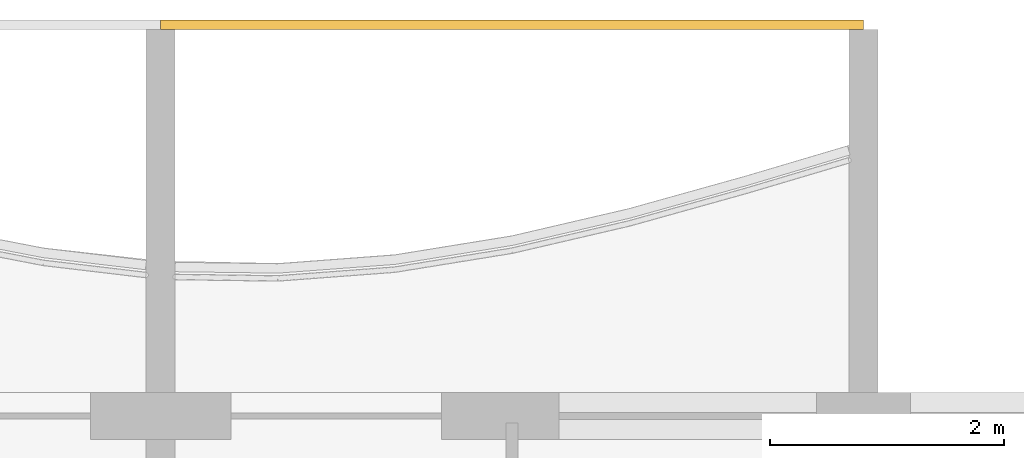
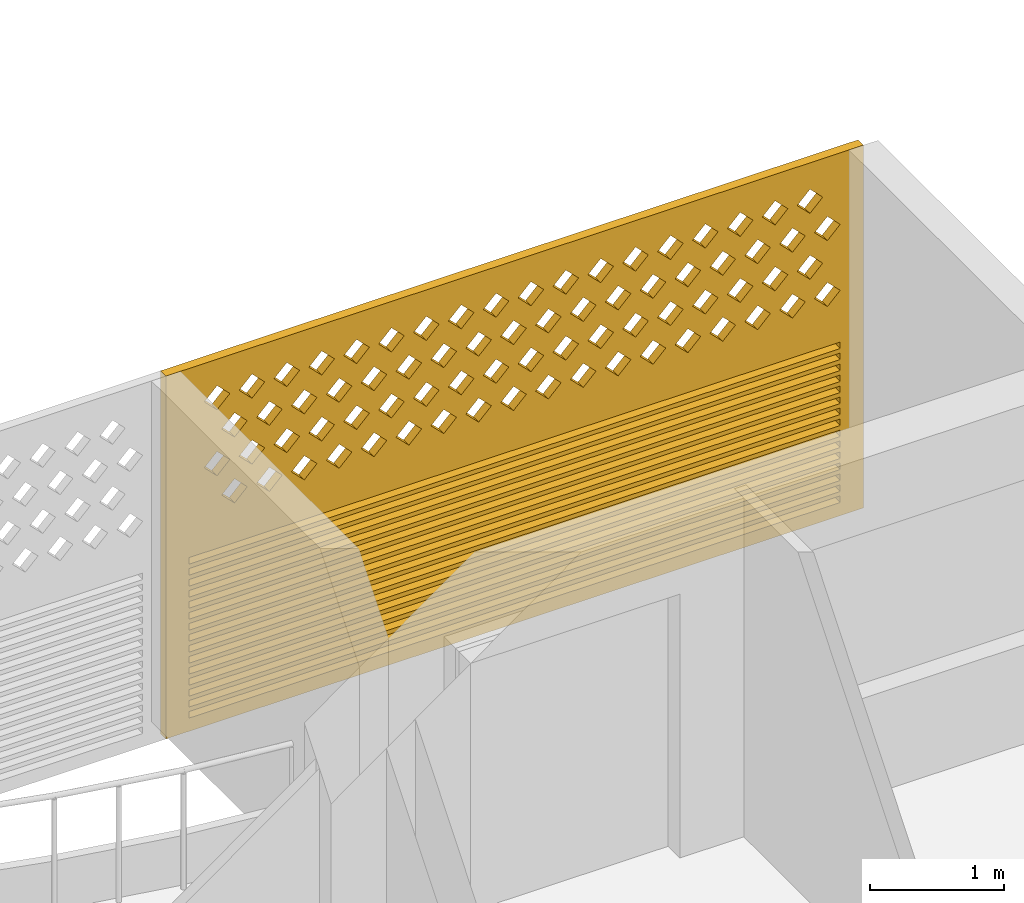
# One storey, part 23 of 27: 1 covering.
"""IFC4 building model written with IfcOpenShell, lengths in metres."""

import ifcopenshell
import ifcopenshell.guid

model = None  # the IFC model being written
_history = None  # IfcOwnerHistory: only IFC2X3 demands one
_inside = {}  # id of a spatial element -> (the spatial element, [elements in it])
_under = {}  # id of a project, library or spatial element -> (it, [spatial elements below it])
_declared = {}  # id of a project -> (the project, [libraries it declares])
_typed = {}  # id of a type object -> (the type object, [elements of that type])
_made_of = {}  # id of a material, layer set ... -> (it, [elements and type objects made of it])


def new_model(schema):
    """Start an empty IFC model of exactly this schema.

    Asked for "IFC4X3", IfcOpenShell would pick the latest addendum, in which some entities
    have other attributes; the version numbers below select the first issue.
    IFC2X3 requires an IfcOwnerHistory on every rooted entity: one is made here for all.
    """
    global model, _history
    if schema == "IFC4X3":
        model = ifcopenshell.file(schema_version=(4, 3, 0, 0))
    else:
        model = ifcopenshell.file(schema=schema)
    _inside.clear()
    _under.clear()
    _declared.clear()
    _typed.clear()
    _made_of.clear()
    _history = None
    if model.schema == "IFC2X3":
        org = make("IfcOrganization", Name="unknown")
        user = make(
            "IfcPersonAndOrganization",
            ThePerson=make("IfcPerson", FamilyName="unknown"),
            TheOrganization=org,
        )
        app = make(
            "IfcApplication",
            ApplicationDeveloper=org,
            Version="unknown",
            ApplicationFullName="unknown",
            ApplicationIdentifier="unknown",
        )
        _history = make(
            "IfcOwnerHistory",
            OwningUser=user,
            OwningApplication=app,
            ChangeAction="ADDED",
            CreationDate=0,
        )
    return model


def make(cls, **values):
    """One entity of the class cls with the attributes given. An attribute that is None is left unset."""
    return model.create_entity(
        cls, **{name: value for name, value in values.items() if value is not None}
    )


def rooted(cls, **values):
    """An entity with a GlobalId (a new one), such as an element, a storey or a relation."""
    return make(cls, GlobalId=ifcopenshell.guid.new(), OwnerHistory=_history, **values)


def si_unit(unit_type, name, prefix=None):
    """IfcSIUnit, for example si_unit("LENGTHUNIT", "METRE", prefix="MILLI")."""
    return make("IfcSIUnit", UnitType=unit_type, Prefix=prefix, Name=name)


def assignment(units):
    """IfcUnitAssignment: the units of a project."""
    return None if units is None else make("IfcUnitAssignment", Units=units)


def point(xyz):
    """IfcCartesianPoint."""
    return None if xyz is None else make("IfcCartesianPoint", Coordinates=xyz)


def direction(xyz):
    """IfcDirection."""
    return None if xyz is None else make("IfcDirection", DirectionRatios=xyz)


def frame(location, z_axis=None, x_axis=None):
    """IfcAxis2Placement3D, a coordinate frame: its origin and axes. An axis left out is left unset."""
    return make(
        "IfcAxis2Placement3D",
        Location=point(location),
        Axis=direction(z_axis),
        RefDirection=direction(x_axis),
    )


def origin():
    """The frame at (0, 0, 0) with its axes left unset."""
    return frame((0.0, 0.0, 0.0))


def place(relative_to, where):
    """IfcLocalPlacement: puts the frame where relative to a parent placement (None: the world)."""
    return make(
        "IfcLocalPlacement", PlacementRelTo=relative_to, RelativePlacement=where
    )


def context(
    kind, dimensions, precision=None, world=None, true_north=None, identifier=None
):
    """IfcGeometricRepresentationContext, for example the 3D "Model" context."""
    return make(
        "IfcGeometricRepresentationContext",
        ContextIdentifier=identifier,
        ContextType=kind,
        CoordinateSpaceDimension=dimensions,
        Precision=precision,
        WorldCoordinateSystem=world,
        TrueNorth=true_north,
    )


def subcontext(parent, identifier, kind, view, scale=None):
    """IfcGeometricRepresentationSubContext, for example "Body" below "Model"."""
    return make(
        "IfcGeometricRepresentationSubContext",
        ContextIdentifier=identifier,
        ContextType=kind,
        ParentContext=parent,
        TargetScale=scale,
        TargetView=view,
    )


def project(units=None, contexts=None):
    """IfcProject with its units and contexts."""
    return rooted(
        "IfcProject",
        Name="project",
        RepresentationContexts=contexts,
        UnitsInContext=assignment(units),
    )


def spatial(cls, under=None, at=None, **own):
    """A site, building, storey or space (cls), placed at a placement, below another one or the project."""
    s = rooted(cls, ObjectPlacement=at, **own)
    if under is not None:
        _under.setdefault(under.id(), (under, []))[1].append(s)
    return s


def polyline(points):
    """IfcPolyline through the points."""
    return make("IfcPolyline", Points=[point(p) for p in points])


def outline(outer, holes=None, kind="AREA"):
    """IfcArbitraryClosedProfileDef: a profile drawn as a closed curve; with holes, ...WithVoids."""
    if holes is None:
        return make("IfcArbitraryClosedProfileDef", ProfileType=kind, OuterCurve=outer)
    return make(
        "IfcArbitraryProfileDefWithVoids",
        ProfileType=kind,
        OuterCurve=outer,
        InnerCurves=holes,
    )


def extrude(swept, where, along, depth):
    """IfcExtrudedAreaSolid: the profile swept, set in the frame where, extruded along a direction by depth."""
    return make(
        "IfcExtrudedAreaSolid",
        SweptArea=swept,
        Position=where,
        ExtrudedDirection=direction(along),
        Depth=depth,
    )


def shape(context_of_items, identifier, shape_type, items):
    """IfcShapeRepresentation: the items that make up one representation, for example the "Body"."""
    return make(
        "IfcShapeRepresentation",
        ContextOfItems=context_of_items,
        RepresentationIdentifier=identifier,
        RepresentationType=shape_type,
        Items=items,
    )


def source(mapping_origin, context_of_items, identifier, shape_type, items):
    """IfcRepresentationMap: a shape defined once, which mapped items show again and again."""
    return make(
        "IfcRepresentationMap",
        MappingOrigin=mapping_origin,
        MappedRepresentation=shape(context_of_items, identifier, shape_type, items),
    )


def transform(
    local_origin,
    x_axis=None,
    y_axis=None,
    z_axis=None,
    scale=None,
    scale2=None,
    scale3=None,
    uniform=True,
):
    """IfcCartesianTransformationOperator3D, or its non-uniform kind. x_axis, y_axis, z_axis: its Axis1, 2, 3."""
    if uniform:
        return make(
            "IfcCartesianTransformationOperator3D",
            Axis1=direction(x_axis),
            Axis2=direction(y_axis),
            LocalOrigin=point(local_origin),
            Scale=scale,
            Axis3=direction(z_axis),
        )
    return make(
        "IfcCartesianTransformationOperator3DnonUniform",
        Axis1=direction(x_axis),
        Axis2=direction(y_axis),
        LocalOrigin=point(local_origin),
        Scale=scale,
        Axis3=direction(z_axis),
        Scale2=scale2,
        Scale3=scale3,
    )


def mapped(mapping_source, mapping_target):
    """IfcMappedItem: shows the shape of a source again, moved by a transform."""
    return make(
        "IfcMappedItem", MappingSource=mapping_source, MappingTarget=mapping_target
    )


def material(Name=None, Category=None):
    """IfcMaterial."""
    return make("IfcMaterial", Name=Name, Category=Category)


def material_profile(
    of_material, cross_section, Name=None, Category=None, Priority=None
):
    """IfcMaterialProfile: a cross section and its material."""
    return make(
        "IfcMaterialProfile",
        Name=Name,
        Material=of_material,
        Profile=cross_section,
        Priority=Priority,
        Category=Category,
    )


def profile_set(profiles, Name=None, composite=None):
    """IfcMaterialProfileSet."""
    return make(
        "IfcMaterialProfileSet",
        Name=Name,
        MaterialProfiles=profiles,
        CompositeProfile=composite,
    )


def made_of(thing, what):
    """Note that an element or type object is made of a material, layer set ...; save() writes the relation."""
    if what is not None:
        _made_of.setdefault(what.id(), (what, []))[1].append(thing)
    return thing


def type_object(cls, material=None, **own):
    """A type object (cls), such as IfcWallType, which elements share."""
    return made_of(rooted(cls, **own), material)


def element(
    cls,
    number,
    at=None,
    inside=None,
    cuts=None,
    type_object=None,
    material=None,
    context=None,
    identifier="Body",
    shape_type=None,
    held_by="IfcProductDefinitionShape",
    body=None,
    shapes=None,
    **own,
):
    """One element of the class cls, such as IfcWall. Its Tag is "e" and its number.

    at: its placement. inside: the storey or other place that contains it. cuts: it is an
    opening in that element (IfcRelVoidsElement). A single representation is given by context,
    identifier, shape_type and body (its items); several are given by shapes. held_by: the class
    of the entity that holds the representations. save() writes the other relations.
    """
    e = rooted(cls, Tag="e%d" % number, ObjectPlacement=at, **own)
    if body is not None:
        shapes = [shape(context, identifier, shape_type, body)]
    if shapes is not None:
        e.Representation = make(held_by, Representations=shapes)
    if inside is not None:
        _inside.setdefault(inside.id(), (inside, []))[1].append(e)
    if cuts is not None:
        rooted(
            "IfcRelVoidsElement", RelatingBuildingElement=cuts, RelatedOpeningElement=e
        )
    if type_object is not None:
        _typed.setdefault(type_object.id(), (type_object, []))[1].append(e)
    return made_of(e, material)


def aggregate(whole, parts):
    """IfcRelAggregates: a whole, such as a stair, and the parts it consists of."""
    return rooted("IfcRelAggregates", RelatingObject=whole, RelatedObjects=parts)


def save(model, path):
    """Write the relations noted so far, then the file.

    IfcRelAggregates (storeys below a building ...), IfcRelContainedInSpatialStructure (elements
    in a storey), IfcRelDefinesByType, IfcRelAssociatesMaterial and IfcRelDeclares: one each for
    every whole, place, type object, material and project.
    """
    for whole, parts in _under.values():
        aggregate(whole, parts)
    for where, things in _inside.values():
        rooted(
            "IfcRelContainedInSpatialStructure",
            RelatedElements=things,
            RelatingStructure=where,
        )
    for kind, things in _typed.values():
        rooted("IfcRelDefinesByType", RelatedObjects=things, RelatingType=kind)
    for what, things in _made_of.values():
        rooted("IfcRelAssociatesMaterial", RelatedObjects=things, RelatingMaterial=what)
    for by, libraries in _declared.values():
        rooted("IfcRelDeclares", RelatingContext=by, RelatedDefinitions=libraries)
    model.write(path)


model = new_model("IFC4")

# Units and contexts
model_context = context("Model", 3, precision=1e-05, world=origin(), true_north=direction((0.0, 1.0)))
body_context = subcontext(model_context, "Body", "Model", "MODEL_VIEW")
ifc_project = project(units=[si_unit("LENGTHUNIT", "METRE"), si_unit("AREAUNIT", "SQUARE_METRE"), si_unit("VOLUMEUNIT", "CUBIC_METRE"), si_unit("PLANEANGLEUNIT", "RADIAN"), si_unit("MASSUNIT", "GRAM", prefix="KILO")], contexts=[model_context])

# Site, building, storey
site_placement = place(None, origin())
site = spatial("IfcSite", under=ifc_project, at=site_placement, CompositionType="ELEMENT")
building_placement = place(site_placement, origin())
building = spatial("IfcBuilding", under=site, at=building_placement, Name="Poui Terraces", CompositionType="ELEMENT")
storey_placement = place(building_placement, frame((0.0, 0.0, 254.39990234375)))
storey = spatial("IfcBuildingStorey", under=building, at=storey_placement, Name="L71", CompositionType="ELEMENT", Elevation=254.39990234375)

# Covering
ifc_material = material(Name="Terracotta screen", Category="masonry")
ifc_material_profile = material_profile(ifc_material, outline(polyline([(-3.0, -1.64990234375), (3.0, -1.64990234375), (3.0, 1.64990234375), (-3.0, 1.64990234375), (-3.0, -1.64990234375)]), holes=[polyline([(-2.800048828125, 0.39990234375), (-2.68994140625, 0.2900390625), (-2.580078125, 0.39990234375), (-2.68994140625, 0.510009765625), (-2.800048828125, 0.39990234375)]), polyline([(-2.5, 0.39990234375), (-2.389892578125, 0.2900390625), (-2.280029296875, 0.39990234375), (-2.389892578125, 0.510009765625), (-2.5, 0.39990234375)]), polyline([(-2.199951171875, 0.39990234375), (-2.090087890625, 0.2900390625), (-1.97998046875, 0.39990234375), (-2.090087890625, 0.510009765625), (-2.199951171875, 0.39990234375)]), polyline([(-1.89990234375, 0.39990234375), (-1.7900390625, 0.2900390625), (-1.679931640625, 0.39990234375), (-1.7900390625, 0.510009765625), (-1.89990234375, 0.39990234375)]), polyline([(-1.60009765625, 0.39990234375), (-1.489990234375, 0.2900390625), (-1.3798828125, 0.39990234375), (-1.489990234375, 0.510009765625), (-1.60009765625, 0.39990234375)]), polyline([(-1.300048828125, 0.39990234375), (-1.18994140625, 0.2900390625), (-1.080078125, 0.39990234375), (-1.18994140625, 0.510009765625), (-1.300048828125, 0.39990234375)]), polyline([(-1.0, 0.39990234375), (-0.889892578125, 0.2900390625), (-0.780029296875, 0.39990234375), (-0.889892578125, 0.510009765625), (-1.0, 0.39990234375)]), polyline([(-0.699951171875, 0.39990234375), (-0.590087890625, 0.2900390625), (-0.47998046875, 0.39990234375), (-0.590087890625, 0.510009765625), (-0.699951171875, 0.39990234375)]), polyline([(-0.39990234375, 0.39990234375), (-0.2900390625, 0.2900390625), (-0.179931640625, 0.39990234375), (-0.2900390625, 0.510009765625), (-0.39990234375, 0.39990234375)]), polyline([(-0.10009765625, 0.39990234375), (0.010009765625, 0.2900390625), (0.1201171875, 0.39990234375), (0.010009765625, 0.510009765625), (-0.10009765625, 0.39990234375)]), polyline([(0.199951171875, 0.39990234375), (0.31005859375, 0.2900390625), (0.419921875, 0.39990234375), (0.31005859375, 0.510009765625), (0.199951171875, 0.39990234375)]), polyline([(0.5, 0.39990234375), (0.610107421875, 0.2900390625), (0.719970703125, 0.39990234375), (0.610107421875, 0.510009765625), (0.5, 0.39990234375)]), polyline([(0.800048828125, 0.39990234375), (0.909912109375, 0.2900390625), (1.02001953125, 0.39990234375), (0.909912109375, 0.510009765625), (0.800048828125, 0.39990234375)]), polyline([(1.10009765625, 0.39990234375), (1.2099609375, 0.2900390625), (1.320068359375, 0.39990234375), (1.2099609375, 0.510009765625), (1.10009765625, 0.39990234375)]), polyline([(1.39990234375, 0.39990234375), (1.510009765625, 0.2900390625), (1.6201171875, 0.39990234375), (1.510009765625, 0.510009765625), (1.39990234375, 0.39990234375)]), polyline([(1.699951171875, 0.39990234375), (1.81005859375, 0.2900390625), (1.919921875, 0.39990234375), (1.81005859375, 0.510009765625), (1.699951171875, 0.39990234375)]), polyline([(2.0, 0.39990234375), (2.110107421875, 0.2900390625), (2.219970703125, 0.39990234375), (2.110107421875, 0.510009765625), (2.0, 0.39990234375)]), polyline([(2.300048828125, 0.39990234375), (2.409912109375, 0.2900390625), (2.52001953125, 0.39990234375), (2.409912109375, 0.510009765625), (2.300048828125, 0.39990234375)]), polyline([(-2.64990234375, 0.699951171875), (-2.5400390625, 0.590087890625), (-2.429931640625, 0.699951171875), (-2.5400390625, 0.81005859375), (-2.64990234375, 0.699951171875)]), polyline([(-2.35009765625, 0.699951171875), (-2.239990234375, 0.590087890625), (-2.1298828125, 0.699951171875), (-2.239990234375, 0.81005859375), (-2.35009765625, 0.699951171875)]), polyline([(-2.050048828125, 0.699951171875), (-1.93994140625, 0.590087890625), (-1.830078125, 0.699951171875), (-1.93994140625, 0.81005859375), (-2.050048828125, 0.699951171875)]), polyline([(-1.75, 0.699951171875), (-1.639892578125, 0.590087890625), (-1.530029296875, 0.699951171875), (-1.639892578125, 0.81005859375), (-1.75, 0.699951171875)]), polyline([(-1.449951171875, 0.699951171875), (-1.340087890625, 0.590087890625), (-1.22998046875, 0.699951171875), (-1.340087890625, 0.81005859375), (-1.449951171875, 0.699951171875)]), polyline([(-1.14990234375, 0.699951171875), (-1.0400390625, 0.590087890625), (-0.929931640625, 0.699951171875), (-1.0400390625, 0.81005859375), (-1.14990234375, 0.699951171875)]), polyline([(-0.85009765625, 0.699951171875), (-0.739990234375, 0.590087890625), (-0.6298828125, 0.699951171875), (-0.739990234375, 0.81005859375), (-0.85009765625, 0.699951171875)]), polyline([(-0.550048828125, 0.699951171875), (-0.43994140625, 0.590087890625), (-0.330078125, 0.699951171875), (-0.43994140625, 0.81005859375), (-0.550048828125, 0.699951171875)]), polyline([(-0.25, 0.699951171875), (-0.139892578125, 0.590087890625), (-0.030029296875, 0.699951171875), (-0.139892578125, 0.81005859375), (-0.25, 0.699951171875)]), polyline([(0.050048828125, 0.699951171875), (0.159912109375, 0.590087890625), (0.27001953125, 0.699951171875), (0.159912109375, 0.81005859375), (0.050048828125, 0.699951171875)]), polyline([(0.35009765625, 0.699951171875), (0.4599609375, 0.590087890625), (0.570068359375, 0.699951171875), (0.4599609375, 0.81005859375), (0.35009765625, 0.699951171875)]), polyline([(0.64990234375, 0.699951171875), (0.760009765625, 0.590087890625), (0.8701171875, 0.699951171875), (0.760009765625, 0.81005859375), (0.64990234375, 0.699951171875)]), polyline([(0.949951171875, 0.699951171875), (1.06005859375, 0.590087890625), (1.169921875, 0.699951171875), (1.06005859375, 0.81005859375), (0.949951171875, 0.699951171875)]), polyline([(1.25, 0.699951171875), (1.360107421875, 0.590087890625), (1.469970703125, 0.699951171875), (1.360107421875, 0.81005859375), (1.25, 0.699951171875)]), polyline([(1.550048828125, 0.699951171875), (1.659912109375, 0.590087890625), (1.77001953125, 0.699951171875), (1.659912109375, 0.81005859375), (1.550048828125, 0.699951171875)]), polyline([(1.85009765625, 0.699951171875), (1.9599609375, 0.590087890625), (2.070068359375, 0.699951171875), (1.9599609375, 0.81005859375), (1.85009765625, 0.699951171875)]), polyline([(2.14990234375, 0.699951171875), (2.260009765625, 0.590087890625), (2.3701171875, 0.699951171875), (2.260009765625, 0.81005859375), (2.14990234375, 0.699951171875)]), polyline([(2.449951171875, 0.699951171875), (2.56005859375, 0.590087890625), (2.669921875, 0.699951171875), (2.56005859375, 0.81005859375), (2.449951171875, 0.699951171875)]), polyline([(-2.800048828125, 1.0), (-2.68994140625, 0.889892578125), (-2.580078125, 1.0), (-2.68994140625, 1.110107421875), (-2.800048828125, 1.0)]), polyline([(-2.5, 1.0), (-2.389892578125, 0.889892578125), (-2.280029296875, 1.0), (-2.389892578125, 1.110107421875), (-2.5, 1.0)]), polyline([(-2.199951171875, 1.0), (-2.090087890625, 0.889892578125), (-1.97998046875, 1.0), (-2.090087890625, 1.110107421875), (-2.199951171875, 1.0)]), polyline([(-1.89990234375, 1.0), (-1.7900390625, 0.889892578125), (-1.679931640625, 1.0), (-1.7900390625, 1.110107421875), (-1.89990234375, 1.0)]), polyline([(-1.60009765625, 1.0), (-1.489990234375, 0.889892578125), (-1.3798828125, 1.0), (-1.489990234375, 1.110107421875), (-1.60009765625, 1.0)]), polyline([(-1.300048828125, 1.0), (-1.18994140625, 0.889892578125), (-1.080078125, 1.0), (-1.18994140625, 1.110107421875), (-1.300048828125, 1.0)]), polyline([(-1.0, 1.0), (-0.889892578125, 0.889892578125), (-0.780029296875, 1.0), (-0.889892578125, 1.110107421875), (-1.0, 1.0)]), polyline([(-0.699951171875, 1.0), (-0.590087890625, 0.889892578125), (-0.47998046875, 1.0), (-0.590087890625, 1.110107421875), (-0.699951171875, 1.0)]), polyline([(-0.39990234375, 1.0), (-0.2900390625, 0.889892578125), (-0.179931640625, 1.0), (-0.2900390625, 1.110107421875), (-0.39990234375, 1.0)]), polyline([(-0.10009765625, 1.0), (0.010009765625, 0.889892578125), (0.1201171875, 1.0), (0.010009765625, 1.110107421875), (-0.10009765625, 1.0)]), polyline([(0.199951171875, 1.0), (0.31005859375, 0.889892578125), (0.419921875, 1.0), (0.31005859375, 1.110107421875), (0.199951171875, 1.0)]), polyline([(0.5, 1.0), (0.610107421875, 0.889892578125), (0.719970703125, 1.0), (0.610107421875, 1.110107421875), (0.5, 1.0)]), polyline([(0.800048828125, 1.0), (0.909912109375, 0.889892578125), (1.02001953125, 1.0), (0.909912109375, 1.110107421875), (0.800048828125, 1.0)]), polyline([(1.10009765625, 1.0), (1.2099609375, 0.889892578125), (1.320068359375, 1.0), (1.2099609375, 1.110107421875), (1.10009765625, 1.0)]), polyline([(1.39990234375, 1.0), (1.510009765625, 0.889892578125), (1.6201171875, 1.0), (1.510009765625, 1.110107421875), (1.39990234375, 1.0)]), polyline([(1.699951171875, 1.0), (1.81005859375, 0.889892578125), (1.919921875, 1.0), (1.81005859375, 1.110107421875), (1.699951171875, 1.0)]), polyline([(2.0, 1.0), (2.110107421875, 0.889892578125), (2.219970703125, 1.0), (2.110107421875, 1.110107421875), (2.0, 1.0)]), polyline([(2.300048828125, 1.0), (2.409912109375, 0.889892578125), (2.52001953125, 1.0), (2.409912109375, 1.110107421875), (2.300048828125, 1.0)]), polyline([(-2.64990234375, 1.300048828125), (-2.5400390625, 1.18994140625), (-2.429931640625, 1.300048828125), (-2.5400390625, 1.409912109375), (-2.64990234375, 1.300048828125)]), polyline([(-2.35009765625, 1.300048828125), (-2.239990234375, 1.18994140625), (-2.1298828125, 1.300048828125), (-2.239990234375, 1.409912109375), (-2.35009765625, 1.300048828125)]), polyline([(-2.050048828125, 1.300048828125), (-1.93994140625, 1.18994140625), (-1.830078125, 1.300048828125), (-1.93994140625, 1.409912109375), (-2.050048828125, 1.300048828125)]), polyline([(-1.75, 1.300048828125), (-1.639892578125, 1.18994140625), (-1.530029296875, 1.300048828125), (-1.639892578125, 1.409912109375), (-1.75, 1.300048828125)]), polyline([(-1.449951171875, 1.300048828125), (-1.340087890625, 1.18994140625), (-1.22998046875, 1.300048828125), (-1.340087890625, 1.409912109375), (-1.449951171875, 1.300048828125)]), polyline([(-1.14990234375, 1.300048828125), (-1.0400390625, 1.18994140625), (-0.929931640625, 1.300048828125), (-1.0400390625, 1.409912109375), (-1.14990234375, 1.300048828125)]), polyline([(-0.85009765625, 1.300048828125), (-0.739990234375, 1.18994140625), (-0.6298828125, 1.300048828125), (-0.739990234375, 1.409912109375), (-0.85009765625, 1.300048828125)]), polyline([(-0.550048828125, 1.300048828125), (-0.43994140625, 1.18994140625), (-0.330078125, 1.300048828125), (-0.43994140625, 1.409912109375), (-0.550048828125, 1.300048828125)]), polyline([(-0.25, 1.300048828125), (-0.139892578125, 1.18994140625), (-0.030029296875, 1.300048828125), (-0.139892578125, 1.409912109375), (-0.25, 1.300048828125)]), polyline([(0.050048828125, 1.300048828125), (0.159912109375, 1.18994140625), (0.27001953125, 1.300048828125), (0.159912109375, 1.409912109375), (0.050048828125, 1.300048828125)]), polyline([(0.35009765625, 1.300048828125), (0.4599609375, 1.18994140625), (0.570068359375, 1.300048828125), (0.4599609375, 1.409912109375), (0.35009765625, 1.300048828125)]), polyline([(0.64990234375, 1.300048828125), (0.760009765625, 1.18994140625), (0.8701171875, 1.300048828125), (0.760009765625, 1.409912109375), (0.64990234375, 1.300048828125)]), polyline([(0.949951171875, 1.300048828125), (1.06005859375, 1.18994140625), (1.169921875, 1.300048828125), (1.06005859375, 1.409912109375), (0.949951171875, 1.300048828125)]), polyline([(1.25, 1.300048828125), (1.360107421875, 1.18994140625), (1.469970703125, 1.300048828125), (1.360107421875, 1.409912109375), (1.25, 1.300048828125)]), polyline([(1.550048828125, 1.300048828125), (1.659912109375, 1.18994140625), (1.77001953125, 1.300048828125), (1.659912109375, 1.409912109375), (1.550048828125, 1.300048828125)]), polyline([(1.85009765625, 1.300048828125), (1.9599609375, 1.18994140625), (2.070068359375, 1.300048828125), (1.9599609375, 1.409912109375), (1.85009765625, 1.300048828125)]), polyline([(2.14990234375, 1.300048828125), (2.260009765625, 1.18994140625), (2.3701171875, 1.300048828125), (2.260009765625, 1.409912109375), (2.14990234375, 1.300048828125)]), polyline([(2.449951171875, 1.300048828125), (2.56005859375, 1.18994140625), (2.669921875, 1.300048828125), (2.56005859375, 1.409912109375), (2.449951171875, 1.300048828125)]), polyline([(-2.800048828125, -1.530029296875), (2.800048828125, -1.530029296875), (2.800048828125, -1.469970703125), (-2.800048828125, -1.469970703125), (-2.800048828125, -1.530029296875)]), polyline([(-2.800048828125, -1.429931640625), (2.800048828125, -1.429931640625), (2.800048828125, -1.3701171875), (-2.800048828125, -1.3701171875), (-2.800048828125, -1.429931640625)]), polyline([(-2.800048828125, -1.330078125), (2.800048828125, -1.330078125), (2.800048828125, -1.27001953125), (-2.800048828125, -1.27001953125), (-2.800048828125, -1.330078125)]), polyline([(-2.800048828125, -1.22998046875), (2.800048828125, -1.22998046875), (2.800048828125, -1.169921875), (-2.800048828125, -1.169921875), (-2.800048828125, -1.22998046875)]), polyline([(-2.800048828125, -1.1298828125), (2.800048828125, -1.1298828125), (2.800048828125, -1.070068359375), (-2.800048828125, -1.070068359375), (-2.800048828125, -1.1298828125)]), polyline([(-2.800048828125, -1.030029296875), (2.800048828125, -1.030029296875), (2.800048828125, -0.969970703125), (-2.800048828125, -0.969970703125), (-2.800048828125, -1.030029296875)]), polyline([(-2.800048828125, -0.929931640625), (2.800048828125, -0.929931640625), (2.800048828125, -0.8701171875), (-2.800048828125, -0.8701171875), (-2.800048828125, -0.929931640625)]), polyline([(-2.800048828125, -0.830078125), (2.800048828125, -0.830078125), (2.800048828125, -0.77001953125), (-2.800048828125, -0.77001953125), (-2.800048828125, -0.830078125)]), polyline([(-2.800048828125, -0.72998046875), (2.800048828125, -0.72998046875), (2.800048828125, -0.669921875), (-2.800048828125, -0.669921875), (-2.800048828125, -0.72998046875)]), polyline([(-2.800048828125, -0.6298828125), (2.800048828125, -0.6298828125), (2.800048828125, -0.570068359375), (-2.800048828125, -0.570068359375), (-2.800048828125, -0.6298828125)]), polyline([(-2.800048828125, -0.530029296875), (2.800048828125, -0.530029296875), (2.800048828125, -0.469970703125), (-2.800048828125, -0.469970703125), (-2.800048828125, -0.530029296875)]), polyline([(-2.800048828125, -0.429931640625), (2.800048828125, -0.429931640625), (2.800048828125, -0.3701171875), (-2.800048828125, -0.3701171875), (-2.800048828125, -0.429931640625)]), polyline([(-2.800048828125, -0.330078125), (2.800048828125, -0.330078125), (2.800048828125, -0.27001953125), (-2.800048828125, -0.27001953125), (-2.800048828125, -0.330078125)]), polyline([(-2.800048828125, -0.22998046875), (2.800048828125, -0.22998046875), (2.800048828125, -0.169921875), (-2.800048828125, -0.169921875), (-2.800048828125, -0.22998046875)]), polyline([(-2.800048828125, -0.1298828125), (2.800048828125, -0.1298828125), (2.800048828125, -0.070068359375), (-2.800048828125, -0.070068359375), (-2.800048828125, -0.1298828125)])]), Name="TERRACOTTA SCREEN AND JALOUSIE LOUVRE 6000X3300")
ifc_profile_set = profile_set([ifc_material_profile], Name="Terracotta screen")
covering_type = type_object("IfcCoveringType", Name="TERRACOTTA SCREEN AND JALOUSIE LOUVRE 6000X3300", PredefinedType="CLADDING", material=ifc_profile_set)
shared_shape = source(origin(), body_context, "Body", "SweptSolid", [
    extrude(outline(polyline([(-3.0, -1.64990234375), (3.0, -1.64990234375), (3.0, 1.64990234375), (-3.0, 1.64990234375), (-3.0, -1.64990234375)]), holes=[polyline([(-2.800048828125, 0.39990234375), (-2.68994140625, 0.2900390625), (-2.580078125, 0.39990234375), (-2.68994140625, 0.510009765625), (-2.800048828125, 0.39990234375)]), polyline([(-2.5, 0.39990234375), (-2.389892578125, 0.2900390625), (-2.280029296875, 0.39990234375), (-2.389892578125, 0.510009765625), (-2.5, 0.39990234375)]), polyline([(-2.199951171875, 0.39990234375), (-2.090087890625, 0.2900390625), (-1.97998046875, 0.39990234375), (-2.090087890625, 0.510009765625), (-2.199951171875, 0.39990234375)]), polyline([(-1.89990234375, 0.39990234375), (-1.7900390625, 0.2900390625), (-1.679931640625, 0.39990234375), (-1.7900390625, 0.510009765625), (-1.89990234375, 0.39990234375)]), polyline([(-1.60009765625, 0.39990234375), (-1.489990234375, 0.2900390625), (-1.3798828125, 0.39990234375), (-1.489990234375, 0.510009765625), (-1.60009765625, 0.39990234375)]), polyline([(-1.300048828125, 0.39990234375), (-1.18994140625, 0.2900390625), (-1.080078125, 0.39990234375), (-1.18994140625, 0.510009765625), (-1.300048828125, 0.39990234375)]), polyline([(-1.0, 0.39990234375), (-0.889892578125, 0.2900390625), (-0.780029296875, 0.39990234375), (-0.889892578125, 0.510009765625), (-1.0, 0.39990234375)]), polyline([(-0.699951171875, 0.39990234375), (-0.590087890625, 0.2900390625), (-0.47998046875, 0.39990234375), (-0.590087890625, 0.510009765625), (-0.699951171875, 0.39990234375)]), polyline([(-0.39990234375, 0.39990234375), (-0.2900390625, 0.2900390625), (-0.179931640625, 0.39990234375), (-0.2900390625, 0.510009765625), (-0.39990234375, 0.39990234375)]), polyline([(-0.10009765625, 0.39990234375), (0.010009765625, 0.2900390625), (0.1201171875, 0.39990234375), (0.010009765625, 0.510009765625), (-0.10009765625, 0.39990234375)]), polyline([(0.199951171875, 0.39990234375), (0.31005859375, 0.2900390625), (0.419921875, 0.39990234375), (0.31005859375, 0.510009765625), (0.199951171875, 0.39990234375)]), polyline([(0.5, 0.39990234375), (0.610107421875, 0.2900390625), (0.719970703125, 0.39990234375), (0.610107421875, 0.510009765625), (0.5, 0.39990234375)]), polyline([(0.800048828125, 0.39990234375), (0.909912109375, 0.2900390625), (1.02001953125, 0.39990234375), (0.909912109375, 0.510009765625), (0.800048828125, 0.39990234375)]), polyline([(1.10009765625, 0.39990234375), (1.2099609375, 0.2900390625), (1.320068359375, 0.39990234375), (1.2099609375, 0.510009765625), (1.10009765625, 0.39990234375)]), polyline([(1.39990234375, 0.39990234375), (1.510009765625, 0.2900390625), (1.6201171875, 0.39990234375), (1.510009765625, 0.510009765625), (1.39990234375, 0.39990234375)]), polyline([(1.699951171875, 0.39990234375), (1.81005859375, 0.2900390625), (1.919921875, 0.39990234375), (1.81005859375, 0.510009765625), (1.699951171875, 0.39990234375)]), polyline([(2.0, 0.39990234375), (2.110107421875, 0.2900390625), (2.219970703125, 0.39990234375), (2.110107421875, 0.510009765625), (2.0, 0.39990234375)]), polyline([(2.300048828125, 0.39990234375), (2.409912109375, 0.2900390625), (2.52001953125, 0.39990234375), (2.409912109375, 0.510009765625), (2.300048828125, 0.39990234375)]), polyline([(-2.64990234375, 0.699951171875), (-2.5400390625, 0.590087890625), (-2.429931640625, 0.699951171875), (-2.5400390625, 0.81005859375), (-2.64990234375, 0.699951171875)]), polyline([(-2.35009765625, 0.699951171875), (-2.239990234375, 0.590087890625), (-2.1298828125, 0.699951171875), (-2.239990234375, 0.81005859375), (-2.35009765625, 0.699951171875)]), polyline([(-2.050048828125, 0.699951171875), (-1.93994140625, 0.590087890625), (-1.830078125, 0.699951171875), (-1.93994140625, 0.81005859375), (-2.050048828125, 0.699951171875)]), polyline([(-1.75, 0.699951171875), (-1.639892578125, 0.590087890625), (-1.530029296875, 0.699951171875), (-1.639892578125, 0.81005859375), (-1.75, 0.699951171875)]), polyline([(-1.449951171875, 0.699951171875), (-1.340087890625, 0.590087890625), (-1.22998046875, 0.699951171875), (-1.340087890625, 0.81005859375), (-1.449951171875, 0.699951171875)]), polyline([(-1.14990234375, 0.699951171875), (-1.0400390625, 0.590087890625), (-0.929931640625, 0.699951171875), (-1.0400390625, 0.81005859375), (-1.14990234375, 0.699951171875)]), polyline([(-0.85009765625, 0.699951171875), (-0.739990234375, 0.590087890625), (-0.6298828125, 0.699951171875), (-0.739990234375, 0.81005859375), (-0.85009765625, 0.699951171875)]), polyline([(-0.550048828125, 0.699951171875), (-0.43994140625, 0.590087890625), (-0.330078125, 0.699951171875), (-0.43994140625, 0.81005859375), (-0.550048828125, 0.699951171875)]), polyline([(-0.25, 0.699951171875), (-0.139892578125, 0.590087890625), (-0.030029296875, 0.699951171875), (-0.139892578125, 0.81005859375), (-0.25, 0.699951171875)]), polyline([(0.050048828125, 0.699951171875), (0.159912109375, 0.590087890625), (0.27001953125, 0.699951171875), (0.159912109375, 0.81005859375), (0.050048828125, 0.699951171875)]), polyline([(0.35009765625, 0.699951171875), (0.4599609375, 0.590087890625), (0.570068359375, 0.699951171875), (0.4599609375, 0.81005859375), (0.35009765625, 0.699951171875)]), polyline([(0.64990234375, 0.699951171875), (0.760009765625, 0.590087890625), (0.8701171875, 0.699951171875), (0.760009765625, 0.81005859375), (0.64990234375, 0.699951171875)]), polyline([(0.949951171875, 0.699951171875), (1.06005859375, 0.590087890625), (1.169921875, 0.699951171875), (1.06005859375, 0.81005859375), (0.949951171875, 0.699951171875)]), polyline([(1.25, 0.699951171875), (1.360107421875, 0.590087890625), (1.469970703125, 0.699951171875), (1.360107421875, 0.81005859375), (1.25, 0.699951171875)]), polyline([(1.550048828125, 0.699951171875), (1.659912109375, 0.590087890625), (1.77001953125, 0.699951171875), (1.659912109375, 0.81005859375), (1.550048828125, 0.699951171875)]), polyline([(1.85009765625, 0.699951171875), (1.9599609375, 0.590087890625), (2.070068359375, 0.699951171875), (1.9599609375, 0.81005859375), (1.85009765625, 0.699951171875)]), polyline([(2.14990234375, 0.699951171875), (2.260009765625, 0.590087890625), (2.3701171875, 0.699951171875), (2.260009765625, 0.81005859375), (2.14990234375, 0.699951171875)]), polyline([(2.449951171875, 0.699951171875), (2.56005859375, 0.590087890625), (2.669921875, 0.699951171875), (2.56005859375, 0.81005859375), (2.449951171875, 0.699951171875)]), polyline([(-2.800048828125, 1.0), (-2.68994140625, 0.889892578125), (-2.580078125, 1.0), (-2.68994140625, 1.110107421875), (-2.800048828125, 1.0)]), polyline([(-2.5, 1.0), (-2.389892578125, 0.889892578125), (-2.280029296875, 1.0), (-2.389892578125, 1.110107421875), (-2.5, 1.0)]), polyline([(-2.199951171875, 1.0), (-2.090087890625, 0.889892578125), (-1.97998046875, 1.0), (-2.090087890625, 1.110107421875), (-2.199951171875, 1.0)]), polyline([(-1.89990234375, 1.0), (-1.7900390625, 0.889892578125), (-1.679931640625, 1.0), (-1.7900390625, 1.110107421875), (-1.89990234375, 1.0)]), polyline([(-1.60009765625, 1.0), (-1.489990234375, 0.889892578125), (-1.3798828125, 1.0), (-1.489990234375, 1.110107421875), (-1.60009765625, 1.0)]), polyline([(-1.300048828125, 1.0), (-1.18994140625, 0.889892578125), (-1.080078125, 1.0), (-1.18994140625, 1.110107421875), (-1.300048828125, 1.0)]), polyline([(-1.0, 1.0), (-0.889892578125, 0.889892578125), (-0.780029296875, 1.0), (-0.889892578125, 1.110107421875), (-1.0, 1.0)]), polyline([(-0.699951171875, 1.0), (-0.590087890625, 0.889892578125), (-0.47998046875, 1.0), (-0.590087890625, 1.110107421875), (-0.699951171875, 1.0)]), polyline([(-0.39990234375, 1.0), (-0.2900390625, 0.889892578125), (-0.179931640625, 1.0), (-0.2900390625, 1.110107421875), (-0.39990234375, 1.0)]), polyline([(-0.10009765625, 1.0), (0.010009765625, 0.889892578125), (0.1201171875, 1.0), (0.010009765625, 1.110107421875), (-0.10009765625, 1.0)]), polyline([(0.199951171875, 1.0), (0.31005859375, 0.889892578125), (0.419921875, 1.0), (0.31005859375, 1.110107421875), (0.199951171875, 1.0)]), polyline([(0.5, 1.0), (0.610107421875, 0.889892578125), (0.719970703125, 1.0), (0.610107421875, 1.110107421875), (0.5, 1.0)]), polyline([(0.800048828125, 1.0), (0.909912109375, 0.889892578125), (1.02001953125, 1.0), (0.909912109375, 1.110107421875), (0.800048828125, 1.0)]), polyline([(1.10009765625, 1.0), (1.2099609375, 0.889892578125), (1.320068359375, 1.0), (1.2099609375, 1.110107421875), (1.10009765625, 1.0)]), polyline([(1.39990234375, 1.0), (1.510009765625, 0.889892578125), (1.6201171875, 1.0), (1.510009765625, 1.110107421875), (1.39990234375, 1.0)]), polyline([(1.699951171875, 1.0), (1.81005859375, 0.889892578125), (1.919921875, 1.0), (1.81005859375, 1.110107421875), (1.699951171875, 1.0)]), polyline([(2.0, 1.0), (2.110107421875, 0.889892578125), (2.219970703125, 1.0), (2.110107421875, 1.110107421875), (2.0, 1.0)]), polyline([(2.300048828125, 1.0), (2.409912109375, 0.889892578125), (2.52001953125, 1.0), (2.409912109375, 1.110107421875), (2.300048828125, 1.0)]), polyline([(-2.64990234375, 1.300048828125), (-2.5400390625, 1.18994140625), (-2.429931640625, 1.300048828125), (-2.5400390625, 1.409912109375), (-2.64990234375, 1.300048828125)]), polyline([(-2.35009765625, 1.300048828125), (-2.239990234375, 1.18994140625), (-2.1298828125, 1.300048828125), (-2.239990234375, 1.409912109375), (-2.35009765625, 1.300048828125)]), polyline([(-2.050048828125, 1.300048828125), (-1.93994140625, 1.18994140625), (-1.830078125, 1.300048828125), (-1.93994140625, 1.409912109375), (-2.050048828125, 1.300048828125)]), polyline([(-1.75, 1.300048828125), (-1.639892578125, 1.18994140625), (-1.530029296875, 1.300048828125), (-1.639892578125, 1.409912109375), (-1.75, 1.300048828125)]), polyline([(-1.449951171875, 1.300048828125), (-1.340087890625, 1.18994140625), (-1.22998046875, 1.300048828125), (-1.340087890625, 1.409912109375), (-1.449951171875, 1.300048828125)]), polyline([(-1.14990234375, 1.300048828125), (-1.0400390625, 1.18994140625), (-0.929931640625, 1.300048828125), (-1.0400390625, 1.409912109375), (-1.14990234375, 1.300048828125)]), polyline([(-0.85009765625, 1.300048828125), (-0.739990234375, 1.18994140625), (-0.6298828125, 1.300048828125), (-0.739990234375, 1.409912109375), (-0.85009765625, 1.300048828125)]), polyline([(-0.550048828125, 1.300048828125), (-0.43994140625, 1.18994140625), (-0.330078125, 1.300048828125), (-0.43994140625, 1.409912109375), (-0.550048828125, 1.300048828125)]), polyline([(-0.25, 1.300048828125), (-0.139892578125, 1.18994140625), (-0.030029296875, 1.300048828125), (-0.139892578125, 1.409912109375), (-0.25, 1.300048828125)]), polyline([(0.050048828125, 1.300048828125), (0.159912109375, 1.18994140625), (0.27001953125, 1.300048828125), (0.159912109375, 1.409912109375), (0.050048828125, 1.300048828125)]), polyline([(0.35009765625, 1.300048828125), (0.4599609375, 1.18994140625), (0.570068359375, 1.300048828125), (0.4599609375, 1.409912109375), (0.35009765625, 1.300048828125)]), polyline([(0.64990234375, 1.300048828125), (0.760009765625, 1.18994140625), (0.8701171875, 1.300048828125), (0.760009765625, 1.409912109375), (0.64990234375, 1.300048828125)]), polyline([(0.949951171875, 1.300048828125), (1.06005859375, 1.18994140625), (1.169921875, 1.300048828125), (1.06005859375, 1.409912109375), (0.949951171875, 1.300048828125)]), polyline([(1.25, 1.300048828125), (1.360107421875, 1.18994140625), (1.469970703125, 1.300048828125), (1.360107421875, 1.409912109375), (1.25, 1.300048828125)]), polyline([(1.550048828125, 1.300048828125), (1.659912109375, 1.18994140625), (1.77001953125, 1.300048828125), (1.659912109375, 1.409912109375), (1.550048828125, 1.300048828125)]), polyline([(1.85009765625, 1.300048828125), (1.9599609375, 1.18994140625), (2.070068359375, 1.300048828125), (1.9599609375, 1.409912109375), (1.85009765625, 1.300048828125)]), polyline([(2.14990234375, 1.300048828125), (2.260009765625, 1.18994140625), (2.3701171875, 1.300048828125), (2.260009765625, 1.409912109375), (2.14990234375, 1.300048828125)]), polyline([(2.449951171875, 1.300048828125), (2.56005859375, 1.18994140625), (2.669921875, 1.300048828125), (2.56005859375, 1.409912109375), (2.449951171875, 1.300048828125)]), polyline([(-2.800048828125, -1.530029296875), (2.800048828125, -1.530029296875), (2.800048828125, -1.469970703125), (-2.800048828125, -1.469970703125), (-2.800048828125, -1.530029296875)]), polyline([(-2.800048828125, -1.429931640625), (2.800048828125, -1.429931640625), (2.800048828125, -1.3701171875), (-2.800048828125, -1.3701171875), (-2.800048828125, -1.429931640625)]), polyline([(-2.800048828125, -1.330078125), (2.800048828125, -1.330078125), (2.800048828125, -1.27001953125), (-2.800048828125, -1.27001953125), (-2.800048828125, -1.330078125)]), polyline([(-2.800048828125, -1.22998046875), (2.800048828125, -1.22998046875), (2.800048828125, -1.169921875), (-2.800048828125, -1.169921875), (-2.800048828125, -1.22998046875)]), polyline([(-2.800048828125, -1.1298828125), (2.800048828125, -1.1298828125), (2.800048828125, -1.070068359375), (-2.800048828125, -1.070068359375), (-2.800048828125, -1.1298828125)]), polyline([(-2.800048828125, -1.030029296875), (2.800048828125, -1.030029296875), (2.800048828125, -0.969970703125), (-2.800048828125, -0.969970703125), (-2.800048828125, -1.030029296875)]), polyline([(-2.800048828125, -0.929931640625), (2.800048828125, -0.929931640625), (2.800048828125, -0.8701171875), (-2.800048828125, -0.8701171875), (-2.800048828125, -0.929931640625)]), polyline([(-2.800048828125, -0.830078125), (2.800048828125, -0.830078125), (2.800048828125, -0.77001953125), (-2.800048828125, -0.77001953125), (-2.800048828125, -0.830078125)]), polyline([(-2.800048828125, -0.72998046875), (2.800048828125, -0.72998046875), (2.800048828125, -0.669921875), (-2.800048828125, -0.669921875), (-2.800048828125, -0.72998046875)]), polyline([(-2.800048828125, -0.6298828125), (2.800048828125, -0.6298828125), (2.800048828125, -0.570068359375), (-2.800048828125, -0.570068359375), (-2.800048828125, -0.6298828125)]), polyline([(-2.800048828125, -0.530029296875), (2.800048828125, -0.530029296875), (2.800048828125, -0.469970703125), (-2.800048828125, -0.469970703125), (-2.800048828125, -0.530029296875)]), polyline([(-2.800048828125, -0.429931640625), (2.800048828125, -0.429931640625), (2.800048828125, -0.3701171875), (-2.800048828125, -0.3701171875), (-2.800048828125, -0.429931640625)]), polyline([(-2.800048828125, -0.330078125), (2.800048828125, -0.330078125), (2.800048828125, -0.27001953125), (-2.800048828125, -0.27001953125), (-2.800048828125, -0.330078125)]), polyline([(-2.800048828125, -0.22998046875), (2.800048828125, -0.22998046875), (2.800048828125, -0.169921875), (-2.800048828125, -0.169921875), (-2.800048828125, -0.22998046875)]), polyline([(-2.800048828125, -0.1298828125), (2.800048828125, -0.1298828125), (2.800048828125, -0.070068359375), (-2.800048828125, -0.070068359375), (-2.800048828125, -0.1298828125)])]), origin(), (0.0, 0.0, 1.0), 0.080078125),
])
covering_placement = place(storey_placement, frame((57.0, 44.5, 1.4501953125), z_axis=(0.0, 1.0, 0.0), x_axis=(-1.0, 0.0, 0.0)))
element("IfcCovering", 1, at=covering_placement, inside=storey, type_object=covering_type, Name="SOLAR SCREEN AND JALOUSIE LOUVRE", PredefinedType="CLADDING", context=body_context, shape_type="MappedRepresentation", body=[
    mapped(shared_shape, transform((0.0, 0.0, 0.0))),
])

save(model, "model.ifc")
